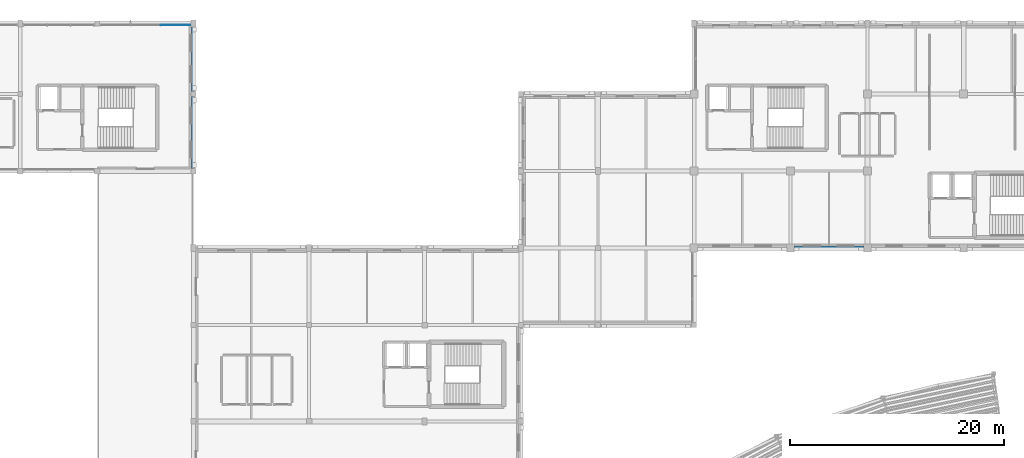
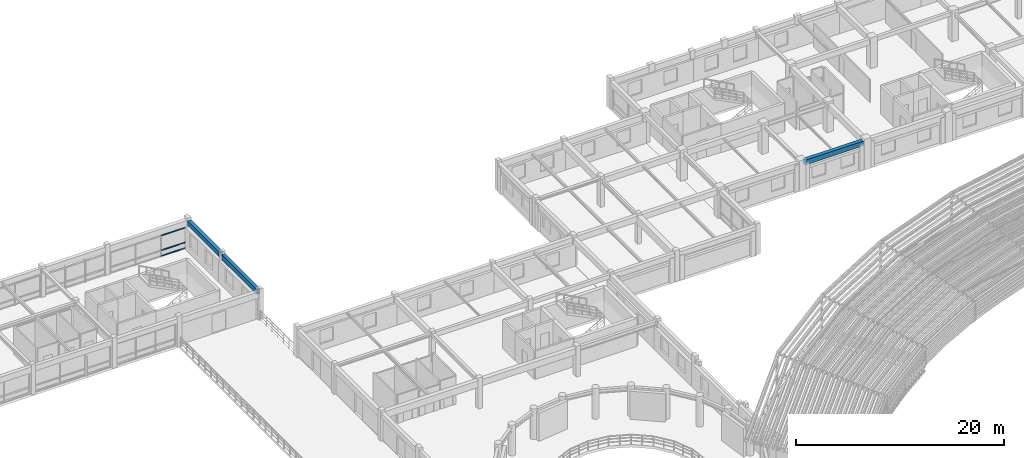
# One storey, part 31 of 74: 3 beams, 3 members, 1 element without a shape of its own.
"""IFC4 building model written with IfcOpenShell, lengths in metres."""

from ifc_helpers import new_model, si_unit, direction, frame, origin, origin_2d, place, context, subcontext, project, spatial, rectangle, extrude, material, material_profile, profile_set, type_object, element, aggregate, save


model = new_model("IFC4")

# Units and contexts
model_context = context("Model", 3, precision=1e-05, world=origin(), true_north=direction((0.0, 1.0)))
body_context = subcontext(model_context, "Body", "Model", "MODEL_VIEW")
ifc_project = project(units=[si_unit("LENGTHUNIT", "METRE"), si_unit("AREAUNIT", "SQUARE_METRE"), si_unit("VOLUMEUNIT", "CUBIC_METRE"), si_unit("PLANEANGLEUNIT", "RADIAN"), si_unit("MASSUNIT", "GRAM", prefix="KILO")], contexts=[model_context])

# Site, building, storey
site_placement = place(None, origin())
site = spatial("IfcSite", under=ifc_project, at=site_placement, CompositionType="ELEMENT")
building_placement = place(site_placement, origin())
building = spatial("IfcBuilding", under=site, at=building_placement, Name="Clarverna Civic Hall", CompositionType="ELEMENT")
storey_placement = place(building_placement, frame((0.0, 0.0, 13.199951171875)))
storey = spatial("IfcBuildingStorey", under=building, at=storey_placement, Name="L03", CompositionType="ELEMENT", Elevation=13.199951171875)

# Beams
ifc_material_1 = material(Name="Concrete C35/45", Category="concrete")
ifc_material_profile_1 = material_profile(ifc_material_1, rectangle(XDim=0.360107421875, YDim=0.6201171875, at=origin_2d()), Name="RC 360x620")
ifc_profile_set_1 = profile_set([ifc_material_profile_1], Name="Concrete C35/45")
beam_type_1 = type_object("IfcBeamType", Name="B-SP3", PredefinedType="SPANDREL", material=ifc_profile_set_1)
beam_1_placement = place(storey_placement, frame((66.60009765625, 102.449951171875, 2.989990234375), z_axis=(0.0, 1.0, 0.0), x_axis=(-1.0, 0.0, 0.0)))
element("IfcBeam", 1, at=beam_1_placement, inside=storey, type_object=beam_type_1, Name="B-SP3-126", PredefinedType="SPANDREL", context=body_context, shape_type="SweptSolid", body=[
    extrude(rectangle(XDim=0.360107421875, YDim=0.6201171875, at=origin_2d()), origin(), (0.0, 0.0, 1.0), 6.72509765625),
])
ifc_material_profile_2 = material_profile(ifc_material_1, rectangle(XDim=0.39990234375, YDim=0.56005859375, at=origin_2d()), Name="RC 400x560")
ifc_profile_set_2 = profile_set([ifc_material_profile_2], Name="Concrete C35/45")
beam_type_2 = type_object("IfcBeamType", Name="B-SP4", PredefinedType="SPANDREL", material=ifc_profile_set_2)
beam_2_placement = place(storey_placement, frame((122.77490234375, 95.0, 3.0400390625), z_axis=(1.0, 0.0, 0.0), x_axis=(0.0, 1.0, 0.0)))
element("IfcBeam", 2, at=beam_2_placement, inside=storey, type_object=beam_type_2, Name="B-SP4-113", PredefinedType="SPANDREL", context=body_context, shape_type="SweptSolid", body=[
    extrude(rectangle(XDim=0.39990234375, YDim=0.56005859375, at=origin_2d()), origin(), (0.0, 0.0, 1.0), 6.4501953125),
])
beam_3_placement = place(storey_placement, frame((66.60009765625, 109.625, 3.02001953125), z_axis=(0.0, 1.0, 0.0), x_axis=(-1.0, 0.0, 0.0)))
element("IfcBeam", 3, at=beam_3_placement, inside=storey, type_object=beam_type_2, Name="B-SP4-125", PredefinedType="SPANDREL", context=body_context, shape_type="SweptSolid", body=[
    extrude(rectangle(XDim=0.39990234375, YDim=0.56005859375, at=origin_2d()), origin(), (0.0, 0.0, 1.0), 6.050048828125),
])

# Curtain wall, members
ifc_material_2 = material(Name="Anodised Bronze Architectural Aluminium", Category="aluminium")
curtain_wall_type = type_object("IfcCurtainWallType", Name="CW-05", PredefinedType="USERDEFINED", material=ifc_material_2)
curtain_wall_placement = place(storey_placement, origin())
curtain_wall = element("IfcCurtainWall", 4, at=curtain_wall_placement, inside=storey, type_object=curtain_wall_type, Name="CW-05-008", ObjectType="UNITISED CURTAIN WALL", PredefinedType="USERDEFINED")
ifc_material_profile_3 = material_profile(ifc_material_2, rectangle(XDim=0.054931640625, YDim=0.110107421875, at=origin_2d()), Name="BRONZE 55x110")
ifc_profile_set_3 = profile_set([ifc_material_profile_3], Name="Anodised Bronze Architectural Aluminium")
member_type = type_object("IfcMemberType", Name="CWT-04", PredefinedType="USERDEFINED", material=ifc_profile_set_3)
member_1_placement = place(storey_placement, frame((63.515625, 115.860107421875, 0.094970703125), z_axis=(1.0, 0.0, 0.0), x_axis=(0.0, 1.0, 0.0)))
member_1 = element("IfcMember", 5, at=member_1_placement, type_object=member_type, Name="CWT-04-376", ObjectType="TRANSOM", PredefinedType="USERDEFINED", context=body_context, shape_type="SweptSolid", body=[
    extrude(rectangle(XDim=0.054931640625, YDim=0.110107421875, at=origin_2d()), origin(), (0.0, 0.0, 1.0), 2.771484375),
])
member_2_placement = place(storey_placement, frame((63.515625, 115.860107421875, 0.75), z_axis=(1.0, 0.0, 0.0), x_axis=(0.0, 1.0, 0.0)))
member_2 = element("IfcMember", 6, at=member_2_placement, type_object=member_type, Name="CWT-04-377", ObjectType="TRANSOM", PredefinedType="USERDEFINED", context=body_context, shape_type="SweptSolid", body=[
    extrude(rectangle(XDim=0.054931640625, YDim=0.110107421875, at=origin_2d()), origin(), (0.0, 0.0, 1.0), 2.771484375),
])
member_3_placement = place(storey_placement, frame((63.515625, 115.860107421875, 2.485107421875), z_axis=(1.0, 0.0, 0.0), x_axis=(0.0, 1.0, 0.0)))
member_3 = element("IfcMember", 7, at=member_3_placement, type_object=member_type, Name="CWT-04-378", ObjectType="TRANSOM", PredefinedType="USERDEFINED", context=body_context, shape_type="SweptSolid", body=[
    extrude(rectangle(XDim=0.054931640625, YDim=0.110107421875, at=origin_2d()), origin(), (0.0, 0.0, 1.0), 2.771484375),
])
aggregate(curtain_wall, [member_1, member_2, member_3])

save(model, "model.ifc")
